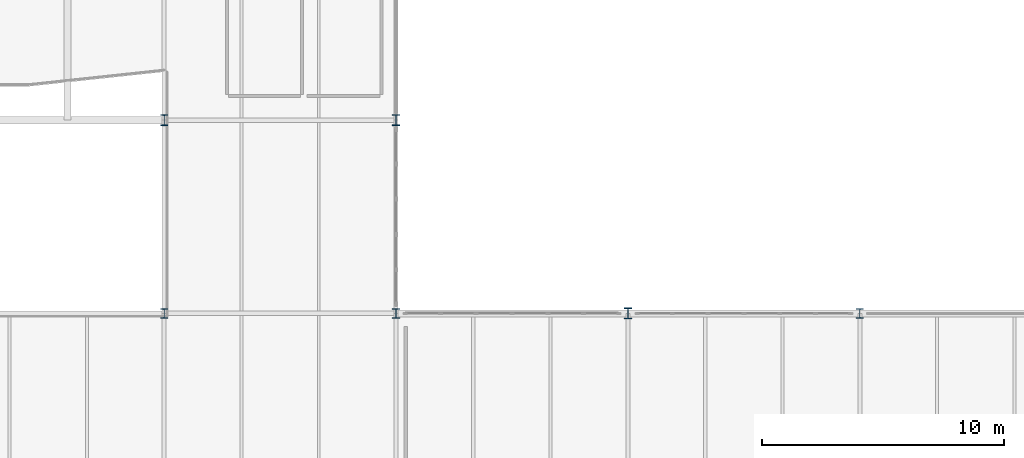
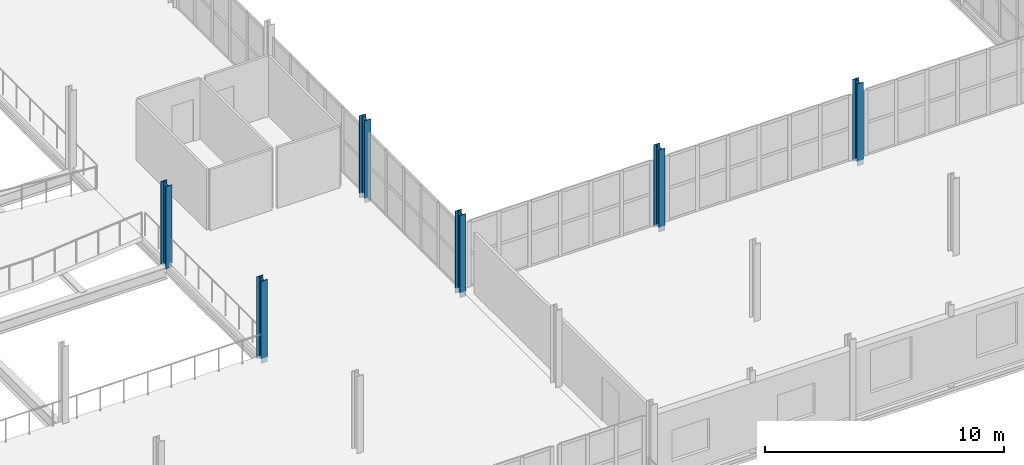
# One storey, part 6 of 85: 6 columns.
"""IFC4 building model written with IfcOpenShell, lengths in metres."""

from ifc_helpers import new_model, si_unit, direction, frame, origin, origin_2d, place, context, subcontext, project, spatial, i_section, extrude, material, material_profile, profile_set, type_object, element, save


model = new_model("IFC4")

# Units and contexts
model_context = context("Model", 3, precision=1e-05, world=origin(), true_north=direction((0.0, 1.0)))
body_context = subcontext(model_context, "Body", "Model", "MODEL_VIEW")
ifc_project = project(units=[si_unit("LENGTHUNIT", "METRE"), si_unit("AREAUNIT", "SQUARE_METRE"), si_unit("VOLUMEUNIT", "CUBIC_METRE"), si_unit("PLANEANGLEUNIT", "RADIAN"), si_unit("MASSUNIT", "GRAM", prefix="KILO")], contexts=[model_context])

# Site, building, storey
site_placement = place(None, origin())
site = spatial("IfcSite", under=ifc_project, at=site_placement, CompositionType="ELEMENT")
building_placement = place(site_placement, origin())
building = spatial("IfcBuilding", under=site, at=building_placement, Name="Alderhovde Museum", CompositionType="ELEMENT")
storey_placement = place(building_placement, frame((0.0, 0.0, 8.699951171875)))
storey = spatial("IfcBuildingStorey", under=building, at=storey_placement, Name="L02", CompositionType="ELEMENT", Elevation=8.699951171875)

# Columns
ifc_material_1 = material(Name="Steel S355J2", Category="steel")
ifc_material_profile_1 = material_profile(ifc_material_1, i_section(OverallWidth=0.300048828125, OverallDepth=0.39990234375, WebThickness=0.013427734375, FlangeThickness=0.02392578125, FilletRadius=0.027099609375, at=origin_2d()), Name="HEB 400")
ifc_profile_set_1 = profile_set([ifc_material_profile_1], Name="Steel S355J2")
column_type_1 = type_object("IfcColumnType", Name="COL-HEB400", PredefinedType="COLUMN", material=ifc_profile_set_1)
for number, where, z_axis, x_axis, name in (
    (1, (105.60009765625, 48.0, -0.260009765625), (0.0, 0.0, 1.0), (1.0, 0.0, 0.0), "L02 Column (105.6, 48.0)"),
    (2, (115.199951171875, 48.0, -0.260009765625), (0.0, 0.0, 1.0), (1.0, 0.0, 0.0), "L02 Column (115.2, 48.0)"),
    (3, (134.39990234375, 48.0, -0.260009765625), (0.0, 0.0, 1.0), (1.0, 0.0, 0.0), "L02 Column (134.4, 48.0)"),
):
    element("IfcColumn", number, at=place(storey_placement, frame(where, z_axis=z_axis, x_axis=x_axis)), inside=storey, type_object=column_type_1, Name=name, PredefinedType="COLUMN", context=body_context, shape_type="SweptSolid", body=[
        extrude(i_section(OverallWidth=0.300048828125, OverallDepth=0.39990234375, WebThickness=0.013427734375, FlangeThickness=0.02392578125, FilletRadius=0.027099609375, at=origin_2d()), origin(), (0.0, 0.0, 1.0), 4.199951171875),
    ])
ifc_material_2 = material(Name="Steel S355J2", Category="steel")
ifc_material_profile_2 = material_profile(ifc_material_2, i_section(OverallWidth=0.300048828125, OverallDepth=0.449951171875, WebThickness=0.013916015625, FlangeThickness=0.02587890625, FilletRadius=0.027099609375, at=origin_2d()), Name="HEB 450")
ifc_profile_set_2 = profile_set([ifc_material_profile_2], Name="Steel S355J2")
column_type_2 = type_object("IfcColumnType", Name="COL-HEB450", PredefinedType="COLUMN", material=ifc_profile_set_2)
for number, where, z_axis, x_axis, name in (
    (4, (105.60009765625, 56.0, -0.260009765625), (0.0, 0.0, 1.0), (1.0, 0.0, 0.0), "L02 Column (105.6, 56.0)"),
    (5, (115.199951171875, 56.0, -0.260009765625), (0.0, 0.0, 1.0), (1.0, 0.0, 0.0), "L02 Column (115.2, 56.0)"),
    (6, (124.800048828125, 48.0, -0.260009765625), (0.0, 0.0, 1.0), (1.0, 0.0, 0.0), "L02 Column (124.8, 48.0)"),
):
    element("IfcColumn", number, at=place(storey_placement, frame(where, z_axis=z_axis, x_axis=x_axis)), inside=storey, type_object=column_type_2, Name=name, PredefinedType="COLUMN", context=body_context, shape_type="SweptSolid", body=[
        extrude(i_section(OverallWidth=0.300048828125, OverallDepth=0.449951171875, WebThickness=0.013916015625, FlangeThickness=0.02587890625, FilletRadius=0.027099609375, at=origin_2d()), origin(), (0.0, 0.0, 1.0), 4.199951171875),
    ])

save(model, "model.ifc")
